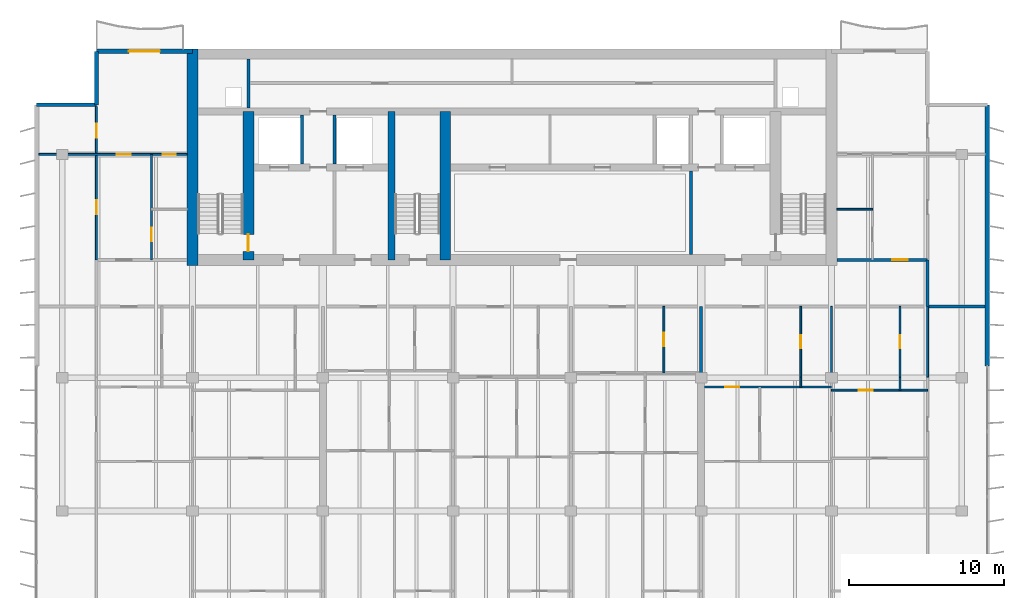
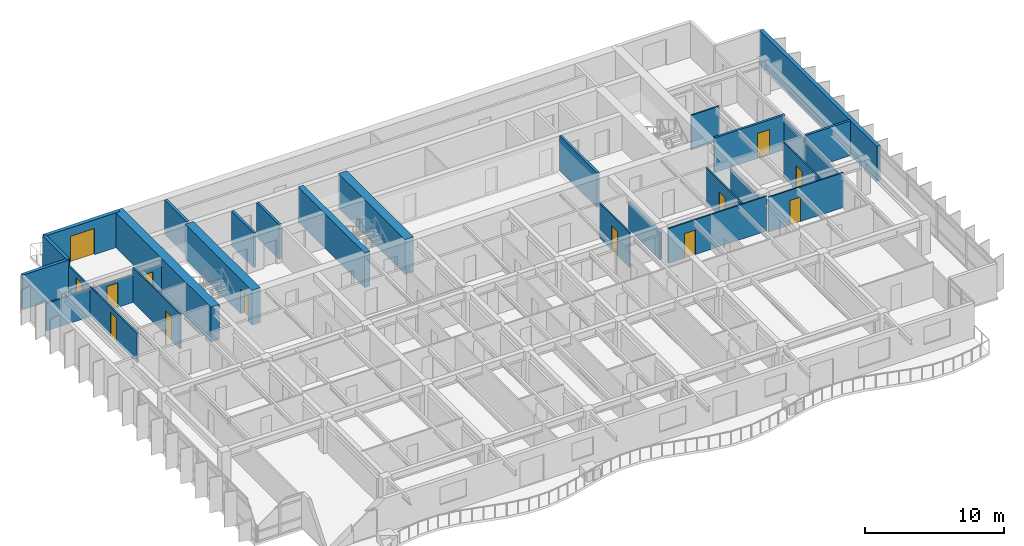
# One storey, part 9 of 17: 29 walls, 13 doors, 13 openings.
"""IFC4 building model written with IfcOpenShell, lengths in metres."""

from ifc_helpers import new_model, si_unit, direction, frame, frame_2d, origin, place, context, subcontext, project, spatial, rectangle, extrude, material, layer, layer_set, type_object, element, fill, save


model = new_model("IFC4")

# Units and contexts
model_context = context("Model", 3, precision=1e-05, world=origin(), true_north=direction((0.0, 1.0)))
body_context = subcontext(model_context, "Body", "Model", "MODEL_VIEW")
ifc_project = project(units=[si_unit("LENGTHUNIT", "METRE"), si_unit("AREAUNIT", "SQUARE_METRE"), si_unit("VOLUMEUNIT", "CUBIC_METRE"), si_unit("PLANEANGLEUNIT", "RADIAN"), si_unit("MASSUNIT", "GRAM", prefix="KILO")], contexts=[model_context])

# Site, building, storey
site_placement = place(None, origin())
site = spatial("IfcSite", under=ifc_project, at=site_placement, CompositionType="ELEMENT")
building_placement = place(site_placement, origin())
building = spatial("IfcBuilding", under=site, at=building_placement, Name="Caelmar Bay Residences", CompositionType="ELEMENT")
storey_placement = place(building_placement, frame((0.0, 0.0, 236.39990234375)))
storey = spatial("IfcBuildingStorey", under=building, at=storey_placement, Name="L66", CompositionType="ELEMENT", Elevation=236.39990234375)

# Wall
ifc_material_1 = material(Name="Concrete f'c 55 MPa (8,000 psi)", Category="concrete")
ifc_layer_1 = layer(ifc_material_1, 0.699951171875)
ifc_layer_set_1 = layer_set([ifc_layer_1], Name="Concrete f'c 55 MPa (8,000 psi)")
wall_type_1 = type_object("IfcWallType", Name="SW-COR-700", PredefinedType="SHEAR", material=ifc_layer_set_1)
wall_1_placement = place(storey_placement, frame((18.300048828125, 36.64990234375, 0.0), z_axis=(0.0, 0.0, 1.0), x_axis=(0.0, 1.0, 0.0)))
element("IfcWall", 1, at=wall_1_placement, inside=storey, type_object=wall_type_1, Name="L66 Rear Core West Shear Wall", PredefinedType="SHEAR", context=body_context, shape_type="SweptSolid", body=[
    extrude(rectangle(XDim=13.9501953125, YDim=0.699951171875, at=frame_2d((6.97509765625, 0.0))), origin(), (0.0, 0.0, 1.0), 3.050048828125),
])

# Wall, opening, door
wall_2_placement = place(storey_placement, frame((21.89990234375, 37.0, 0.0), z_axis=(0.0, 0.0, 1.0), x_axis=(0.0, 1.0, 0.0)))
wall_2 = element("IfcWall", 2, at=wall_2_placement, inside=storey, type_object=wall_type_1, Name="L66 Core Structural Web Wall ST1E", PredefinedType="SHEAR", context=body_context, shape_type="SweptSolid", body=[
    extrude(rectangle(XDim=9.574951171875, YDim=0.699951171875, at=frame_2d((4.78759765625, 0.0))), origin(), (0.0, 0.0, 1.0), 3.050048828125),
])
opening_1_placement = place(wall_2_placement, frame((0.550048828125, 0.0, 0.0)))
opening_1 = element("IfcOpeningElement", 3, at=opening_1_placement, cuts=wall_2, Name="Opening D-L66-107", PredefinedType="OPENING", context=body_context, shape_type="SweptSolid", body=[
    extrude(rectangle(XDim=1.10009765625, YDim=2.14990234375, at=frame_2d((0.550048828125, 1.074951171875))), frame((0.0, 0.35986328125, 0.0), z_axis=(0.0, -1.0, 0.0), x_axis=(1.0, 0.0, 0.0)), (0.0, 0.0, 1.0), 0.719970703125),
])
ifc_material_2 = material(Name="Fire-rated steel and walnut architectural door assembly", Category="steel")
ifc_layer_2 = layer(ifc_material_2, 0.050048828125)
ifc_layer_set_2 = layer_set([ifc_layer_2], Name="Fire-rated steel and walnut architectural door assembly")
door_type_1 = type_object("IfcDoorType", Name="D-STAIR-1100", OperationType="NOTDEFINED", PredefinedType="DOOR", material=ifc_layer_set_2)
door_1_placement = place(opening_1_placement, origin())
door_1 = element("IfcDoor", 4, at=door_1_placement, inside=storey, type_object=door_type_1, Name="L66 Firefighting Lobby West Door", OperationType="SINGLE_SWING_LEFT", OverallHeight=2.14990234375, OverallWidth=1.10009765625, PredefinedType="DOOR", context=body_context, shape_type="SweptSolid", body=[
    extrude(rectangle(XDim=1.10009765625, YDim=2.14990234375, at=frame_2d((0.550048828125, 1.074951171875))), frame((0.0, 0.02490234375, 0.0), z_axis=(0.0, -1.0, 0.0), x_axis=(1.0, 0.0, 0.0)), (0.0, 0.0, 1.0), 0.050048828125),
])
fill(opening_1, door_1)

# Walls
wall_3_placement = place(storey_placement, frame((34.60009765625, 37.0, 0.0), z_axis=(0.0, 0.0, 1.0), x_axis=(0.0, 1.0, 0.0)))
element("IfcWall", 5, at=wall_3_placement, inside=storey, type_object=wall_type_1, Name="L66 Core Structural Web Wall ST3E", PredefinedType="SHEAR", context=body_context, shape_type="SweptSolid", body=[
    extrude(rectangle(XDim=9.574951171875, YDim=0.699951171875, at=frame_2d((4.78759765625, 0.0))), origin(), (0.0, 0.0, 1.0), 3.050048828125),
])
ifc_material_3 = material(Name="Concrete f'c 70 MPa (10,000 psi)", Category="concrete")
ifc_layer_3 = layer(ifc_material_3, 0.449951171875)
ifc_layer_set_3 = layer_set([ifc_layer_3], Name="Concrete f'c 70 MPa (10,000 psi)")
wall_type_2 = type_object("IfcWallType", Name="SW-WEB-450", PredefinedType="SHEAR", material=ifc_layer_set_3)
wall_4_placement = place(storey_placement, frame((31.125, 37.0, 0.0), z_axis=(0.0, 0.0, 1.0), x_axis=(0.0, 1.0, 0.0)))
element("IfcWall", 6, at=wall_4_placement, inside=storey, type_object=wall_type_2, Name="L66 Core Structural Web Wall ST3W", PredefinedType="SHEAR", context=body_context, shape_type="SweptSolid", body=[
    extrude(rectangle(XDim=9.574951171875, YDim=0.449951171875, at=frame_2d((4.78759765625, 0.0))), origin(), (0.0, 0.0, 1.0), 3.050048828125),
])
ifc_material_4 = material(Name="Double-stud acoustic fire-rated gypsum partition 180 mm")
ifc_layer_4 = layer(ifc_material_4, 0.179931640625)
ifc_layer_set_4 = layer_set([ifc_layer_4], Name="Double-stud acoustic fire-rated gypsum partition 180 mm")
wall_type_3 = type_object("IfcWallType", Name="W-COR-200", PredefinedType="PARTITIONING", material=ifc_layer_set_4)
wall_5_placement = place(storey_placement, frame((65.699951171875, 34.0048828125, 0.0), z_axis=(0.0, 0.0, 1.0), x_axis=(0.0, 1.0, 0.0)))
element("IfcWall", 7, at=wall_5_placement, inside=storey, type_object=wall_type_3, Name="L66 Partition Wall V061", PredefinedType="PARTITIONING", context=body_context, shape_type="SweptSolid", body=[
    extrude(rectangle(XDim=2.9951171875, YDim=0.179931640625, at=frame_2d((1.49755859375, 0.0))), origin(), (0.0, 0.0, 1.0), 2.629150390625),
])

# Wall, opening, door
wall_6_placement = place(storey_placement, frame((59.85498046875, 37.0, 0.0), z_axis=(0.0, 0.0, 1.0), x_axis=(1.0, 0.0, 0.0)))
wall_6 = element("IfcWall", 8, at=wall_6_placement, inside=storey, type_object=wall_type_3, Name="L66 Partition Wall H086", PredefinedType="PARTITIONING", context=body_context, shape_type="SweptSolid", body=[
    extrude(rectangle(XDim=5.844970703125, YDim=0.179931640625, at=frame_2d((2.92236328125, 0.0))), origin(), (0.0, 0.0, 1.0), 3.050048828125),
])
opening_2_placement = place(wall_6_placement, frame((3.570068359375, 0.0, 0.0)))
opening_2 = element("IfcOpeningElement", 9, at=opening_2_placement, cuts=wall_6, Name="Opening D-L66-168", PredefinedType="OPENING", context=body_context, shape_type="SweptSolid", body=[
    extrude(rectangle(XDim=1.0, YDim=2.199951171875, at=frame_2d((0.5, 1.10009765625))), frame((0.0, 0.099853515625, 0.0), z_axis=(0.0, -1.0, 0.0), x_axis=(1.0, 0.0, 0.0)), (0.0, 0.0, 1.0), 0.199951171875),
])
ifc_layer_5 = layer(ifc_material_2, 0.050048828125)
ifc_layer_set_5 = layer_set([ifc_layer_5], Name="Fire-rated steel and walnut architectural door assembly")
door_type_2 = type_object("IfcDoorType", Name="D-UNIT-1000", OperationType="NOTDEFINED", PredefinedType="DOOR", material=ifc_layer_set_5)
door_2_placement = place(opening_2_placement, origin())
door_2 = element("IfcDoor", 10, at=door_2_placement, inside=storey, type_object=door_type_2, Name="L66 Residence EA Kitchen Door", OperationType="SINGLE_SWING_RIGHT", OverallHeight=2.199951171875, OverallWidth=1.0, PredefinedType="DOOR", context=body_context, shape_type="SweptSolid", body=[
    extrude(rectangle(XDim=1.0, YDim=2.199951171875, at=frame_2d((0.5, 1.10009765625))), frame((0.0, 0.02490234375, 0.0), z_axis=(0.0, -1.0, 0.0), x_axis=(1.0, 0.0, 0.0)), (0.0, 0.0, 1.0), 0.050048828125),
])
fill(opening_2, door_2)

# Walls
ifc_material_5 = material(Name="Precast concrete f'c 40 MPa (6,000 psi)", Category="concrete")
ifc_layer_6 = layer(ifc_material_5, 0.25)
ifc_layer_set_6 = layer_set([ifc_layer_6], Name="Precast concrete f'c 40 MPa (6,000 psi)")
wall_type_4 = type_object("IfcWallType", Name="W-EXT-250", PredefinedType="ELEMENTEDWALL", material=ifc_layer_set_6)
wall_7_placement = place(storey_placement, frame((8.25, 47.0, 0.0), z_axis=(0.0, 0.0, 1.0), x_axis=(1.0, 0.0, 0.0)))
element("IfcWall", 11, at=wall_7_placement, inside=storey, type_object=wall_type_4, Name="L66 NNW-H Notch Wall", PredefinedType="ELEMENTEDWALL", context=body_context, shape_type="SweptSolid", body=[
    extrude(rectangle(XDim=3.85009765625, YDim=0.25, at=frame_2d((1.925048828125, 0.0))), origin(), (0.0, 0.0, 1.0), 3.050048828125),
])
wall_8_placement = place(storey_placement, frame((12.10009765625, 47.0, 0.0), z_axis=(0.0, 0.0, 1.0), x_axis=(0.0, 1.0, 0.0)))
element("IfcWall", 12, at=wall_8_placement, inside=storey, type_object=wall_type_4, Name="L66 NNW-V Notch Wall", PredefinedType="ELEMENTEDWALL", context=body_context, shape_type="SweptSolid", body=[
    extrude(rectangle(XDim=3.449951171875, YDim=0.25, at=frame_2d((1.72509765625, 0.0))), origin(), (0.0, 0.0, 1.0), 3.050048828125),
])
ifc_layer_7 = layer(ifc_material_5, 0.300048828125)
ifc_layer_set_7 = layer_set([ifc_layer_7], Name="Precast concrete f'c 40 MPa (6,000 psi)")
wall_type_5 = type_object("IfcWallType", Name="W-EXT-300", PredefinedType="STANDARD", material=ifc_layer_set_7)
wall_9_placement = place(storey_placement, frame((69.550048828125, 47.0, 0.0), z_axis=(0.0, 0.0, 1.0), x_axis=(0.0, -1.0, 0.0)))
element("IfcWall", 13, at=wall_9_placement, inside=storey, type_object=wall_type_5, Name="L66 East Rear Exterior Wall", PredefinedType="STANDARD", context=body_context, shape_type="SweptSolid", body=[
    extrude(rectangle(XDim=16.85009765625, YDim=0.300048828125, at=frame_2d((8.425048828125, 0.0))), origin(), (0.0, 0.0, 1.0), 3.050048828125),
])

# Wall, opening, door
wall_10_placement = place(storey_placement, frame((12.10009765625, 50.449951171875, 0.0), z_axis=(0.0, 0.0, 1.0), x_axis=(1.0, 0.0, 0.0)))
wall_10 = element("IfcWall", 14, at=wall_10_placement, inside=storey, type_object=wall_type_5, Name="L66 North-West Wing Exterior Wall", PredefinedType="STANDARD", context=body_context, shape_type="SweptSolid", body=[
    extrude(rectangle(XDim=6.199951171875, YDim=0.300048828125, at=frame_2d((3.10009765625, 0.0))), origin(), (0.0, 0.0, 1.0), 3.050048828125),
])
opening_3_placement = place(wall_10_placement, frame((2.10009765625, 0.0, 0.0)))
opening_3 = element("IfcOpeningElement", 15, at=opening_3_placement, cuts=wall_10, Name="Opening L66-BDNW", PredefinedType="OPENING", context=body_context, shape_type="SweptSolid", body=[
    extrude(rectangle(XDim=2.0, YDim=2.300048828125, at=frame_2d((1.0, 1.14990234375))), frame((0.0, 0.159912109375, 0.0), z_axis=(0.0, -1.0, 0.0), x_axis=(1.0, 0.0, 0.0)), (0.0, 0.0, 1.0), 0.320068359375),
])
ifc_material_6 = material(Name="Anodised bronze thermally broken sliding glass door", Category="glass")
ifc_layer_8 = layer(ifc_material_6, 0.050048828125)
ifc_layer_set_8 = layer_set([ifc_layer_8], Name="Anodised bronze thermally broken sliding glass door")
door_type_3 = type_object("IfcDoorType", Name="D-BAL-2000", OperationType="DOUBLE_DOOR_SLIDING", PredefinedType="DOOR", material=ifc_layer_set_8)
door_3_placement = place(opening_3_placement, origin())
door_3 = element("IfcDoor", 16, at=door_3_placement, inside=storey, type_object=door_type_3, Name="L66 North-West Balcony Door", OperationType="DOUBLE_DOOR_SLIDING", OverallHeight=2.300048828125, OverallWidth=2.0, PredefinedType="DOOR", context=body_context, shape_type="SweptSolid", body=[
    extrude(rectangle(XDim=2.0, YDim=2.300048828125, at=frame_2d((1.0, 1.14990234375))), frame((0.0, 0.02490234375, 0.0), z_axis=(0.0, -1.0, 0.0), x_axis=(1.0, 0.0, 0.0)), (0.0, 0.0, 1.0), 0.050048828125),
])
fill(opening_3, door_3)

# Walls
ifc_material_7 = material(Name="Fire-rated masonry and gypsum shaftliner assembly 200 mm", Category="masonry")
ifc_layer_9 = layer(ifc_material_7, 0.199951171875)
ifc_layer_set_9 = layer_set([ifc_layer_9], Name="Fire-rated masonry and gypsum shaftliner assembly 200 mm")
wall_type_6 = type_object("IfcWallType", Name="W-FSAE-200", PredefinedType="PARTITIONING", material=ifc_layer_set_9)
wall_11_placement = place(storey_placement, frame((21.89990234375, 46.794921875, 0.0), z_axis=(0.0, 0.0, 1.0), x_axis=(0.0, 1.0, 0.0)))
element("IfcWall", 17, at=wall_11_placement, inside=storey, type_object=wall_type_6, Name="L66 Partition Wall V011", PredefinedType="PARTITIONING", context=body_context, shape_type="SweptSolid", body=[
    extrude(rectangle(XDim=3.16015625, YDim=0.199951171875, at=frame_2d((1.580078125, 0.0))), origin(), (0.0, 0.0, 1.0), 3.050048828125),
])
for number, where, z_axis, x_axis, name in (
    (18, (25.35009765625, 43.169921875, 0.0), (0.0, 0.0, 1.0), (0.0, 1.0, 0.0), "L66 Partition Wall V014"),
    (19, (27.449951171875, 43.169921875, 0.0), (0.0, 0.0, 1.0), (0.0, 1.0, 0.0), "L66 Partition Wall V019"),
):
    element("IfcWall", number, at=place(storey_placement, frame(where, z_axis=z_axis, x_axis=x_axis)), inside=storey, type_object=wall_type_6, Name=name, PredefinedType="PARTITIONING", context=body_context, shape_type="SweptSolid", body=[
        extrude(rectangle(XDim=3.18505859375, YDim=0.199951171875, at=frame_2d((1.592529296875, 0.0))), origin(), (0.0, 0.0, 1.0), 3.050048828125),
    ])
wall_12_placement = place(storey_placement, frame((50.449951171875, 37.344970703125, 0.0), z_axis=(0.0, 0.0, 1.0), x_axis=(0.0, 1.0, 0.0)))
element("IfcWall", 20, at=wall_12_placement, inside=storey, type_object=wall_type_6, Name="L66 Partition Wall V043", PredefinedType="PARTITIONING", context=body_context, shape_type="SweptSolid", body=[
    extrude(rectangle(XDim=5.385009765625, YDim=0.199951171875, at=frame_2d((2.6923828125, 0.0))), origin(), (0.0, 0.0, 1.0), 3.050048828125),
])

# Wall, openings, doors
ifc_material_8 = material(Name="Acoustic metal-stud gypsum partition 120 mm")
ifc_layer_10 = layer(ifc_material_8, 0.1201171875)
ifc_layer_set_10 = layer_set([ifc_layer_10], Name="Acoustic metal-stud gypsum partition 120 mm")
wall_type_7 = type_object("IfcWallType", Name="W-PRT-120", PredefinedType="PARTITIONING", material=ifc_layer_set_10)
wall_13_placement = place(storey_placement, frame((12.10009765625, 37.0048828125, 0.0), z_axis=(0.0, 0.0, 1.0), x_axis=(0.0, 1.0, 0.0)))
wall_13 = element("IfcWall", 21, at=wall_13_placement, inside=storey, type_object=wall_type_7, Name="L66 Partition Wall V004", PredefinedType="PARTITIONING", context=body_context, shape_type="SweptSolid", body=[
    extrude(rectangle(XDim=9.875, YDim=0.1201171875, at=frame_2d((4.9375, 0.0))), origin(), (0.0, 0.0, 1.0), 2.578125),
])
opening_4_placement = place(wall_13_placement, frame((2.947509765625, 0.0, 0.0)))
opening_4 = element("IfcOpeningElement", 22, at=opening_4_placement, cuts=wall_13, Name="Opening D-L66-166", PredefinedType="OPENING", context=body_context, shape_type="SweptSolid", body=[
    extrude(rectangle(XDim=0.89990234375, YDim=2.14990234375, at=frame_2d((0.449951171875, 1.074951171875))), frame((0.0, 0.070068359375, 0.0), z_axis=(0.0, -1.0, 0.0), x_axis=(1.0, 0.0, 0.0)), (0.0, 0.0, 1.0), 0.14013671875),
])
opening_5_placement = place(wall_13_placement, frame((7.885009765625, 0.0, 0.0)))
opening_5 = element("IfcOpeningElement", 23, at=opening_5_placement, cuts=wall_13, Name="Opening D-L66-167", PredefinedType="OPENING", context=body_context, shape_type="SweptSolid", body=[
    extrude(rectangle(XDim=0.89990234375, YDim=2.14990234375, at=frame_2d((0.449951171875, 1.074951171875))), frame((0.0, 0.070068359375, 0.0), z_axis=(0.0, -1.0, 0.0), x_axis=(1.0, 0.0, 0.0)), (0.0, 0.0, 1.0), 0.14013671875),
])
ifc_material_9 = material(Name="Solid walnut timber interior door leaf and frame", Category="wood")
ifc_layer_11 = layer(ifc_material_9, 0.050048828125)
ifc_layer_set_11 = layer_set([ifc_layer_11], Name="Solid walnut timber interior door leaf and frame")
door_type_4 = type_object("IfcDoorType", Name="D-ROOM-900", OperationType="NOTDEFINED", PredefinedType="DOOR", material=ifc_layer_set_11)
door_4_placement = place(opening_4_placement, origin())
door_4 = element("IfcDoor", 24, at=door_4_placement, inside=storey, type_object=door_type_4, Name="L66 Residence WA Sun Study Door", OperationType="SINGLE_SWING_RIGHT", OverallHeight=2.14990234375, OverallWidth=0.89990234375, PredefinedType="DOOR", context=body_context, shape_type="SweptSolid", body=[
    extrude(rectangle(XDim=0.89990234375, YDim=2.14990234375, at=frame_2d((0.449951171875, 1.074951171875))), frame((0.0, 0.02490234375, 0.0), z_axis=(0.0, -1.0, 0.0), x_axis=(1.0, 0.0, 0.0)), (0.0, 0.0, 1.0), 0.050048828125),
])
fill(opening_4, door_4)
door_5_placement = place(opening_5_placement, origin())
door_5 = element("IfcDoor", 25, at=door_5_placement, inside=storey, type_object=door_type_4, Name="L66 Residence WA North Sitting Alcove Door", OperationType="SINGLE_SWING_LEFT", OverallHeight=2.14990234375, OverallWidth=0.89990234375, PredefinedType="DOOR", context=body_context, shape_type="SweptSolid", body=[
    extrude(rectangle(XDim=0.89990234375, YDim=2.14990234375, at=frame_2d((0.449951171875, 1.074951171875))), frame((0.0, 0.02490234375, 0.0), z_axis=(0.0, -1.0, 0.0), x_axis=(1.0, 0.0, 0.0)), (0.0, 0.0, 1.0), 0.050048828125),
])
fill(opening_5, door_5)

# Wall, opening, door
wall_14_placement = place(storey_placement, frame((15.64990234375, 37.0, 0.0), z_axis=(0.0, 0.0, 1.0), x_axis=(0.0, 1.0, 0.0)))
wall_14 = element("IfcWall", 26, at=wall_14_placement, inside=storey, type_object=wall_type_7, Name="L66 Partition Wall V005", PredefinedType="PARTITIONING", context=body_context, shape_type="SweptSolid", body=[
    extrude(rectangle(XDim=6.800048828125, YDim=0.1201171875, at=frame_2d((3.39990234375, 0.0))), origin(), (0.0, 0.0, 1.0), 3.050048828125),
])
opening_6_placement = place(wall_14_placement, frame((1.20703125, 0.0, 0.0)))
opening_6 = element("IfcOpeningElement", 27, at=opening_6_placement, cuts=wall_14, Name="Opening D-L66-164", PredefinedType="OPENING", context=body_context, shape_type="SweptSolid", body=[
    extrude(rectangle(XDim=0.85009765625, YDim=2.10009765625, at=frame_2d((0.425048828125, 1.050048828125))), frame((0.0, 0.070068359375, 0.0), z_axis=(0.0, -1.0, 0.0), x_axis=(1.0, 0.0, 0.0)), (0.0, 0.0, 1.0), 0.14013671875),
])
ifc_layer_12 = layer(ifc_material_9, 0.050048828125)
ifc_layer_set_12 = layer_set([ifc_layer_12], Name="Solid walnut timber interior door leaf and frame")
door_type_5 = type_object("IfcDoorType", Name="D-BATH-850", OperationType="NOTDEFINED", PredefinedType="DOOR", material=ifc_layer_set_12)
door_6_placement = place(opening_6_placement, origin())
door_6 = element("IfcDoor", 28, at=door_6_placement, inside=storey, type_object=door_type_5, Name="L66 Residence WA Walk-In Closet Door", OperationType="SINGLE_SWING_RIGHT", OverallHeight=2.10009765625, OverallWidth=0.85009765625, PredefinedType="DOOR", context=body_context, shape_type="SweptSolid", body=[
    extrude(rectangle(XDim=0.85009765625, YDim=2.10009765625, at=frame_2d((0.425048828125, 1.050048828125))), frame((0.0, 0.02490234375, 0.0), z_axis=(0.0, -1.0, 0.0), x_axis=(1.0, 0.0, 0.0)), (0.0, 0.0, 1.0), 0.050048828125),
])
fill(opening_6, door_6)

wall_15_placement = place(storey_placement, frame((48.693115234375, 29.719970703125, 0.0), z_axis=(0.0, 0.0, 1.0), x_axis=(0.0, 1.0, 0.0)))
wall_15 = element("IfcWall", 29, at=wall_15_placement, inside=storey, type_object=wall_type_7, Name="L66 Partition Wall V042", PredefinedType="PARTITIONING", context=body_context, shape_type="SweptSolid", body=[
    extrude(rectangle(XDim=4.280029296875, YDim=0.1201171875, at=frame_2d((2.14013671875, 0.0))), origin(), (0.0, 0.0, 1.0), 3.050048828125),
])
opening_7_placement = place(wall_15_placement, frame((1.715087890625, 0.0, 0.0)))
opening_7 = element("IfcOpeningElement", 30, at=opening_7_placement, cuts=wall_15, Name="Opening D-L66-144", PredefinedType="OPENING", context=body_context, shape_type="SweptSolid", body=[
    extrude(rectangle(XDim=0.85009765625, YDim=2.10009765625, at=frame_2d((0.425048828125, 1.050048828125))), frame((0.0, 0.070068359375, 0.0), z_axis=(0.0, -1.0, 0.0), x_axis=(1.0, 0.0, 0.0)), (0.0, 0.0, 1.0), 0.14013671875),
])
door_7_placement = place(opening_7_placement, origin())
door_7 = element("IfcDoor", 31, at=door_7_placement, inside=storey, type_object=door_type_5, Name="L66 Residence 04 Bathroom Door", OperationType="SINGLE_SWING_RIGHT", OverallHeight=2.10009765625, OverallWidth=0.85009765625, PredefinedType="DOOR", context=body_context, shape_type="SweptSolid", body=[
    extrude(rectangle(XDim=0.85009765625, YDim=2.10009765625, at=frame_2d((0.425048828125, 1.050048828125))), frame((0.0, 0.02490234375, 0.0), z_axis=(0.0, -1.0, 0.0), x_axis=(1.0, 0.0, 0.0)), (0.0, 0.0, 1.0), 0.050048828125),
])
fill(opening_7, door_7)

# Wall
wall_16_placement = place(storey_placement, frame((57.51904296875, 28.800048828125, 0.0), z_axis=(0.0, 0.0, 1.0), x_axis=(0.0, 1.0, 0.0)))
element("IfcWall", 32, at=wall_16_placement, inside=storey, type_object=wall_type_7, Name="L66 Partition Wall V051", PredefinedType="PARTITIONING", context=body_context, shape_type="SweptSolid", body=[
    extrude(rectangle(XDim=0.599853515625, YDim=0.1201171875, at=frame_2d((0.2998046875, 0.0))), origin(), (0.0, 0.0, 1.0), 3.050048828125),
])

# Wall, opening, door
wall_17_placement = place(storey_placement, frame((57.51904296875, 29.43994140625, 0.0), z_axis=(0.0, 0.0, 1.0), x_axis=(0.0, 1.0, 0.0)))
wall_17 = element("IfcWall", 33, at=wall_17_placement, inside=storey, type_object=wall_type_7, Name="L66 Partition Wall V052", PredefinedType="PARTITIONING", context=body_context, shape_type="SweptSolid", body=[
    extrude(rectangle(XDim=4.56005859375, YDim=0.1201171875, at=frame_2d((2.280029296875, 0.0))), origin(), (0.0, 0.0, 1.0), 3.050048828125),
])
opening_8_placement = place(wall_17_placement, frame((1.85498046875, 0.0, 0.0)))
opening_8 = element("IfcOpeningElement", 34, at=opening_8_placement, cuts=wall_17, Name="Opening D-L66-151", PredefinedType="OPENING", context=body_context, shape_type="SweptSolid", body=[
    extrude(rectangle(XDim=0.85009765625, YDim=2.10009765625, at=frame_2d((0.425048828125, 1.050048828125))), frame((0.0, 0.070068359375, 0.0), z_axis=(0.0, -1.0, 0.0), x_axis=(1.0, 0.0, 0.0)), (0.0, 0.0, 1.0), 0.14013671875),
])
door_8_placement = place(opening_8_placement, origin())
door_8 = element("IfcDoor", 35, at=door_8_placement, inside=storey, type_object=door_type_5, Name="L66 Residence 05 Guest Bathroom Door", OperationType="SINGLE_SWING_LEFT", OverallHeight=2.10009765625, OverallWidth=0.85009765625, PredefinedType="DOOR", context=body_context, shape_type="SweptSolid", body=[
    extrude(rectangle(XDim=0.85009765625, YDim=2.10009765625, at=frame_2d((0.425048828125, 1.050048828125))), frame((0.0, 0.02490234375, 0.0), z_axis=(0.0, -1.0, 0.0), x_axis=(1.0, 0.0, 0.0)), (0.0, 0.0, 1.0), 0.050048828125),
])
fill(opening_8, door_8)

# Walls
wall_18_placement = place(storey_placement, frame((59.5, 29.43994140625, 0.0), z_axis=(0.0, 0.0, 1.0), x_axis=(0.0, 1.0, 0.0)))
element("IfcWall", 36, at=wall_18_placement, inside=storey, type_object=wall_type_7, Name="L66 Partition Wall V055", PredefinedType="PARTITIONING", context=body_context, shape_type="SweptSolid", body=[
    extrude(rectangle(XDim=4.56005859375, YDim=0.1201171875, at=frame_2d((2.280029296875, 0.0))), origin(), (0.0, 0.0, 1.0), 2.26318359375),
])
wall_19_placement = place(storey_placement, frame((63.922119140625, 28.60009765625, 0.0), z_axis=(0.0, 0.0, 1.0), x_axis=(0.0, 1.0, 0.0)))
element("IfcWall", 37, at=wall_19_placement, inside=storey, type_object=wall_type_7, Name="L66 Partition Wall V057", PredefinedType="PARTITIONING", context=body_context, shape_type="SweptSolid", body=[
    extrude(rectangle(XDim=0.7998046875, YDim=0.1201171875, at=frame_2d((0.39990234375, 0.0))), origin(), (0.0, 0.0, 1.0), 3.050048828125),
])

# Wall, opening, door
wall_20_placement = place(storey_placement, frame((63.922119140625, 29.43994140625, 0.0), z_axis=(0.0, 0.0, 1.0), x_axis=(0.0, 1.0, 0.0)))
wall_20 = element("IfcWall", 38, at=wall_20_placement, inside=storey, type_object=wall_type_7, Name="L66 Partition Wall V058", PredefinedType="PARTITIONING", context=body_context, shape_type="SweptSolid", body=[
    extrude(rectangle(XDim=4.56005859375, YDim=0.1201171875, at=frame_2d((2.280029296875, 0.0))), origin(), (0.0, 0.0, 1.0), 3.050048828125),
])
opening_9_placement = place(wall_20_placement, frame((1.85498046875, 0.0, 0.0)))
opening_9 = element("IfcOpeningElement", 39, at=opening_9_placement, cuts=wall_20, Name="Opening D-L66-157", PredefinedType="OPENING", context=body_context, shape_type="SweptSolid", body=[
    extrude(rectangle(XDim=0.85009765625, YDim=2.10009765625, at=frame_2d((0.425048828125, 1.050048828125))), frame((0.0, 0.070068359375, 0.0), z_axis=(0.0, -1.0, 0.0), x_axis=(1.0, 0.0, 0.0)), (0.0, 0.0, 1.0), 0.14013671875),
])
door_9_placement = place(opening_9_placement, origin())
door_9 = element("IfcDoor", 40, at=door_9_placement, inside=storey, type_object=door_type_5, Name="L66 Residence 05 En-Suite Bathroom 1 Door", OperationType="SINGLE_SWING_LEFT", OverallHeight=2.10009765625, OverallWidth=0.85009765625, PredefinedType="DOOR", context=body_context, shape_type="SweptSolid", body=[
    extrude(rectangle(XDim=0.85009765625, YDim=2.10009765625, at=frame_2d((0.425048828125, 1.050048828125))), frame((0.0, 0.02490234375, 0.0), z_axis=(0.0, -1.0, 0.0), x_axis=(1.0, 0.0, 0.0)), (0.0, 0.0, 1.0), 0.050048828125),
])
fill(opening_9, door_9)

# Wall
wall_21_placement = place(storey_placement, frame((65.699951171875, 29.43994140625, 0.0), z_axis=(0.0, 0.0, 1.0), x_axis=(0.0, 1.0, 0.0)))
element("IfcWall", 41, at=wall_21_placement, inside=storey, type_object=wall_type_7, Name="L66 Partition Wall V060", PredefinedType="PARTITIONING", context=body_context, shape_type="SweptSolid", body=[
    extrude(rectangle(XDim=4.56005859375, YDim=0.1201171875, at=frame_2d((2.280029296875, 0.0))), origin(), (0.0, 0.0, 1.0), 2.629150390625),
])

# Wall, opening, door
wall_22_placement = place(storey_placement, frame((59.5, 28.60009765625, 0.0), z_axis=(0.0, 0.0, 1.0), x_axis=(1.0, 0.0, 0.0)))
wall_22 = element("IfcWall", 42, at=wall_22_placement, inside=storey, type_object=wall_type_7, Name="L66 Partition Wall H076", PredefinedType="PARTITIONING", context=body_context, shape_type="SweptSolid", body=[
    extrude(rectangle(XDim=6.199951171875, YDim=0.1201171875, at=frame_2d((3.10009765625, 0.0))), origin(), (0.0, 0.0, 1.0), 3.050048828125),
])
opening_10_placement = place(wall_22_placement, frame((1.760986328125, 0.0, 0.0)))
opening_10 = element("IfcOpeningElement", 43, at=opening_10_placement, cuts=wall_22, Name="Opening D-L66-156", PredefinedType="OPENING", context=body_context, shape_type="SweptSolid", body=[
    extrude(rectangle(XDim=0.89990234375, YDim=2.14990234375, at=frame_2d((0.449951171875, 1.074951171875))), frame((0.0, 0.070068359375, 0.0), z_axis=(0.0, -1.0, 0.0), x_axis=(1.0, 0.0, 0.0)), (0.0, 0.0, 1.0), 0.14013671875),
])
door_10_placement = place(opening_10_placement, origin())
door_10 = element("IfcDoor", 44, at=door_10_placement, inside=storey, type_object=door_type_4, Name="L66 Residence 05 Home Office 1 Door", OperationType="SINGLE_SWING_RIGHT", OverallHeight=2.14990234375, OverallWidth=0.89990234375, PredefinedType="DOOR", context=body_context, shape_type="SweptSolid", body=[
    extrude(rectangle(XDim=0.89990234375, YDim=2.14990234375, at=frame_2d((0.449951171875, 1.074951171875))), frame((0.0, 0.02490234375, 0.0), z_axis=(0.0, -1.0, 0.0), x_axis=(1.0, 0.0, 0.0)), (0.0, 0.0, 1.0), 0.050048828125),
])
fill(opening_10, door_10)

wall_23_placement = place(storey_placement, frame((51.320068359375, 28.800048828125, 0.0), z_axis=(0.0, 0.0, 1.0), x_axis=(1.0, 0.0, 0.0)))
wall_23 = element("IfcWall", 45, at=wall_23_placement, inside=storey, type_object=wall_type_7, Name="L66 Partition Wall H078", PredefinedType="PARTITIONING", context=body_context, shape_type="SweptSolid", body=[
    extrude(rectangle(XDim=8.175048828125, YDim=0.1201171875, at=frame_2d((4.08740234375, 0.0))), origin(), (0.0, 0.0, 1.0), 3.050048828125),
])
opening_11_placement = place(wall_23_placement, frame((1.330078125, 0.0, 0.0)))
opening_11 = element("IfcOpeningElement", 46, at=opening_11_placement, cuts=wall_23, Name="Opening D-L66-152", PredefinedType="OPENING", context=body_context, shape_type="SweptSolid", body=[
    extrude(rectangle(XDim=0.89990234375, YDim=2.14990234375, at=frame_2d((0.449951171875, 1.074951171875))), frame((0.0, 0.070068359375, 0.0), z_axis=(0.0, -1.0, 0.0), x_axis=(1.0, 0.0, 0.0)), (0.0, 0.0, 1.0), 0.14013671875),
])
door_11_placement = place(opening_11_placement, origin())
door_11 = element("IfcDoor", 47, at=door_11_placement, inside=storey, type_object=door_type_4, Name="L66 Residence 05 Dining Room Door", OperationType="SINGLE_SWING_RIGHT", OverallHeight=2.14990234375, OverallWidth=0.89990234375, PredefinedType="DOOR", context=body_context, shape_type="SweptSolid", body=[
    extrude(rectangle(XDim=0.89990234375, YDim=2.14990234375, at=frame_2d((0.449951171875, 1.074951171875))), frame((0.0, 0.02490234375, 0.0), z_axis=(0.0, -1.0, 0.0), x_axis=(1.0, 0.0, 0.0)), (0.0, 0.0, 1.0), 0.050048828125),
])
fill(opening_11, door_11)

# Wall
wall_24_placement = place(storey_placement, frame((59.844970703125, 40.263916015625, 0.0), z_axis=(0.0, 0.0, 1.0), x_axis=(1.0, 0.0, 0.0)))
element("IfcWall", 48, at=wall_24_placement, inside=storey, type_object=wall_type_7, Name="L66 Partition Wall H088", PredefinedType="PARTITIONING", context=body_context, shape_type="SweptSolid", body=[
    extrude(rectangle(XDim=2.304931640625, YDim=0.1201171875, at=frame_2d((1.15234375, 0.0))), origin(), (0.0, 0.0, 1.0), 3.050048828125),
])

# Wall, openings, doors
wall_25_placement = place(storey_placement, frame((8.39501953125, 43.800048828125, 0.0), z_axis=(0.0, 0.0, 1.0), x_axis=(1.0, 0.0, 0.0)))
wall_25 = element("IfcWall", 49, at=wall_25_placement, inside=storey, type_object=wall_type_7, Name="L66 Partition Wall H089", PredefinedType="PARTITIONING", context=body_context, shape_type="SweptSolid", body=[
    extrude(rectangle(XDim=9.56005859375, YDim=0.1201171875, at=frame_2d((4.780029296875, 0.0))), origin(), (0.0, 0.0, 1.0), 2.418212890625),
])
opening_12_placement = place(wall_25_placement, frame((5.030029296875, 0.0, 0.0)))
opening_12 = element("IfcOpeningElement", 50, at=opening_12_placement, cuts=wall_25, Name="Opening D-L66-163", PredefinedType="OPENING", context=body_context, shape_type="SweptSolid", body=[
    extrude(rectangle(XDim=0.89990234375, YDim=2.14990234375, at=frame_2d((0.449951171875, 1.074951171875))), frame((0.0, 0.070068359375, 0.0), z_axis=(0.0, -1.0, 0.0), x_axis=(1.0, 0.0, 0.0)), (0.0, 0.0, 1.0), 0.14013671875),
])
opening_13_placement = place(wall_25_placement, frame((7.982421875, 0.0, 0.0)))
opening_13 = element("IfcOpeningElement", 51, at=opening_13_placement, cuts=wall_25, Name="Opening D-L66-165", PredefinedType="OPENING", context=body_context, shape_type="SweptSolid", body=[
    extrude(rectangle(XDim=0.85009765625, YDim=2.10009765625, at=frame_2d((0.425048828125, 1.050048828125))), frame((0.0, 0.070068359375, 0.0), z_axis=(0.0, -1.0, 0.0), x_axis=(1.0, 0.0, 0.0)), (0.0, 0.0, 1.0), 0.14013671875),
])
door_12_placement = place(opening_13_placement, origin())
door_12 = element("IfcDoor", 52, at=door_12_placement, inside=storey, type_object=door_type_5, Name="L66 Residence WA Bathroom Door", OperationType="SINGLE_SWING_LEFT", OverallHeight=2.10009765625, OverallWidth=0.85009765625, PredefinedType="DOOR", context=body_context, shape_type="SweptSolid", body=[
    extrude(rectangle(XDim=0.85009765625, YDim=2.10009765625, at=frame_2d((0.425048828125, 1.050048828125))), frame((0.0, 0.02490234375, 0.0), z_axis=(0.0, -1.0, 0.0), x_axis=(1.0, 0.0, 0.0)), (0.0, 0.0, 1.0), 0.050048828125),
])
fill(opening_13, door_12)
door_13_placement = place(opening_12_placement, origin())
door_13 = element("IfcDoor", 53, at=door_13_placement, inside=storey, type_object=door_type_4, Name="L66 Residence WA Studio Living and Sleeping Room Door", OperationType="SINGLE_SWING_LEFT", OverallHeight=2.14990234375, OverallWidth=0.89990234375, PredefinedType="DOOR", context=body_context, shape_type="SweptSolid", body=[
    extrude(rectangle(XDim=0.89990234375, YDim=2.14990234375, at=frame_2d((0.449951171875, 1.074951171875))), frame((0.0, 0.02490234375, 0.0), z_axis=(0.0, -1.0, 0.0), x_axis=(1.0, 0.0, 0.0)), (0.0, 0.0, 1.0), 0.050048828125),
])
fill(opening_12, door_13)

# Walls
ifc_material_10 = material(Name="Acoustic twin-stud fire-rated inter-tenancy partition 200 mm")
ifc_layer_13 = layer(ifc_material_10, 0.199951171875)
ifc_layer_set_13 = layer_set([ifc_layer_13], Name="Acoustic twin-stud fire-rated inter-tenancy partition 200 mm")
wall_type_8 = type_object("IfcWallType", Name="W-PTY-200", PredefinedType="PARTITIONING", material=ifc_layer_set_13)
wall_26_placement = place(storey_placement, frame((51.10009765625, 29.43994140625, 0.0), z_axis=(0.0, 0.0, 1.0), x_axis=(0.0, 1.0, 0.0)))
element("IfcWall", 54, at=wall_26_placement, inside=storey, type_object=wall_type_8, Name="L66 Partition Wall V047", PredefinedType="PARTITIONING", context=body_context, shape_type="SweptSolid", body=[
    extrude(rectangle(XDim=4.56005859375, YDim=0.199951171875, at=frame_2d((2.280029296875, 0.0))), origin(), (0.0, 0.0, 1.0), 2.335205078125),
])
wall_27_placement = place(storey_placement, frame((65.705078125, 34.0, 0.0), z_axis=(0.0, 0.0, 1.0), x_axis=(1.0, 0.0, 0.0)))
element("IfcWall", 55, at=wall_27_placement, inside=storey, type_object=wall_type_8, Name="L66 Partition Wall H084", PredefinedType="PARTITIONING", context=body_context, shape_type="SweptSolid", body=[
    extrude(rectangle(XDim=3.699951171875, YDim=0.199951171875, at=frame_2d((1.85009765625, 0.0))), origin(), (0.0, 0.0, 1.0), 3.050048828125),
])

save(model, "model.ifc")
